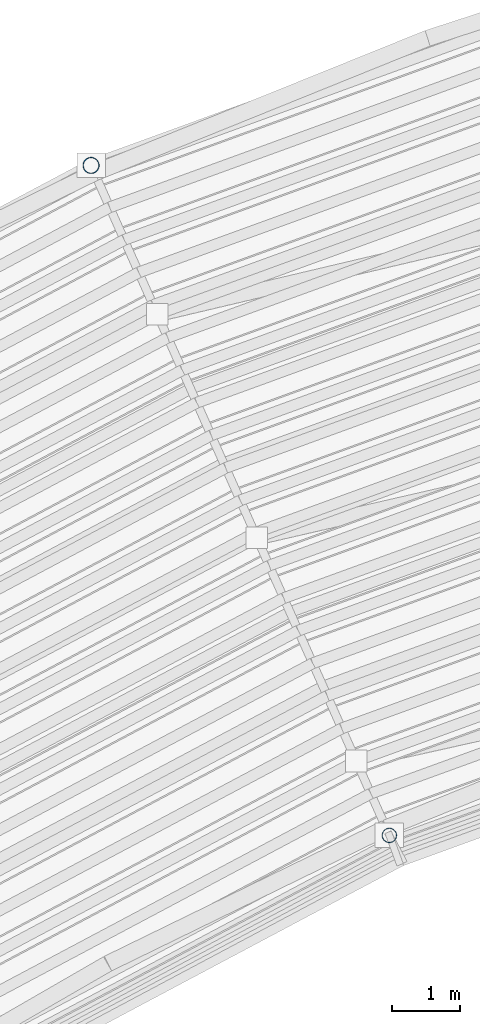
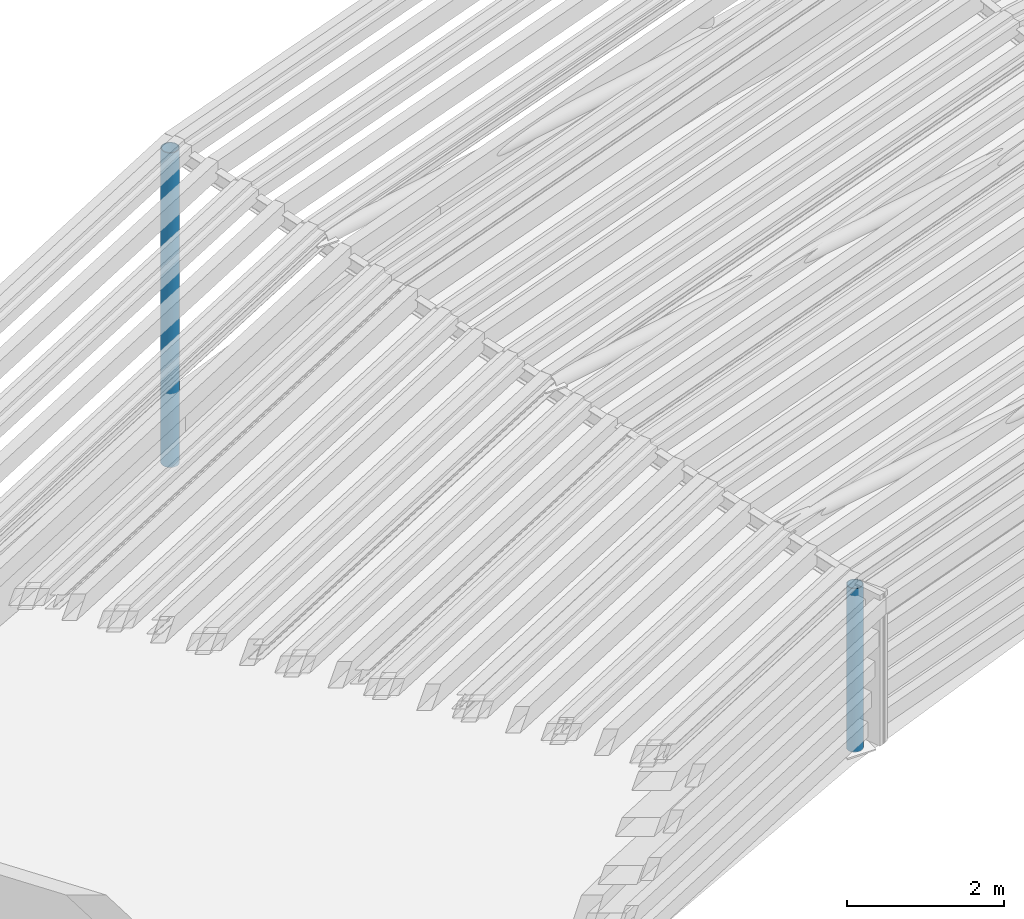
# One storey, part 11 of 74: 2 columns.
"""IFC4 building model written with IfcOpenShell, lengths in metres."""

from ifc_helpers import new_model, si_unit, direction, frame, origin, origin_2d, place, context, subcontext, project, spatial, hollow_circle, extrude, material, material_profile, profile_set, type_object, element, save


model = new_model("IFC4")

# Units and contexts
model_context = context("Model", 3, precision=1e-05, world=origin(), true_north=direction((0.0, 1.0)))
body_context = subcontext(model_context, "Body", "Model", "MODEL_VIEW")
ifc_project = project(units=[si_unit("LENGTHUNIT", "METRE"), si_unit("AREAUNIT", "SQUARE_METRE"), si_unit("VOLUMEUNIT", "CUBIC_METRE"), si_unit("PLANEANGLEUNIT", "RADIAN"), si_unit("MASSUNIT", "GRAM", prefix="KILO")], contexts=[model_context])

# Site, building, storey
site_placement = place(None, origin())
site = spatial("IfcSite", under=ifc_project, at=site_placement, CompositionType="ELEMENT")
building_placement = place(site_placement, origin())
building = spatial("IfcBuilding", under=site, at=building_placement, Name="Clarverna Civic Hall", CompositionType="ELEMENT")
storey_placement = place(building_placement, frame((0.0, 0.0, 13.199951171875)))
storey = spatial("IfcBuildingStorey", under=building, at=storey_placement, Name="L03", CompositionType="ELEMENT", Elevation=13.199951171875)

# Columns
ifc_material = material(Name="Steel S355", Category="steel")
ifc_material_profile_1 = material_profile(ifc_material, hollow_circle(Radius=0.122314453125, WallThickness=0.012451171875, at=origin_2d()), Name="CHS 244.5x12.5")
ifc_profile_set_1 = profile_set([ifc_material_profile_1], Name="Steel S355")
column_type_1 = type_object("IfcColumnType", Name="C-ST15", PredefinedType="COLUMN", material=ifc_profile_set_1)
column_1_placement = place(storey_placement, frame((121.087890625, 77.429443359375, 0.0), z_axis=(0.0, 0.0, 1.0), x_axis=(1.0, 0.0, 0.0)))
element("IfcColumn", 1, at=column_1_placement, inside=storey, type_object=column_type_1, Name="C-ST15-003", PredefinedType="COLUMN", context=body_context, shape_type="SweptSolid", body=[
    extrude(hollow_circle(Radius=0.122314453125, WallThickness=0.012451171875, at=origin_2d()), origin(), (0.0, 0.0, 1.0), 4.900146484375),
])
ifc_material_profile_2 = material_profile(ifc_material, hollow_circle(Radius=0.109619140625, WallThickness=0.010009765625, at=origin_2d()), Name="CHS 219.1x10.0")
ifc_profile_set_2 = profile_set([ifc_material_profile_2], Name="Steel S355")
column_type_2 = type_object("IfcColumnType", Name="C-ST16", PredefinedType="COLUMN", material=ifc_profile_set_2)
column_2_placement = place(storey_placement, frame((125.480712890625, 67.563232421875, 0.0), z_axis=(0.0, 0.0, 1.0), x_axis=(1.0, 0.0, 0.0)))
element("IfcColumn", 2, at=column_2_placement, inside=storey, type_object=column_type_2, Name="C-ST16-003", PredefinedType="COLUMN", context=body_context, shape_type="SweptSolid", body=[
    extrude(hollow_circle(Radius=0.109619140625, WallThickness=0.010009765625, at=origin_2d()), origin(), (0.0, 0.0, 1.0), 2.550048828125),
])

save(model, "model.ifc")
